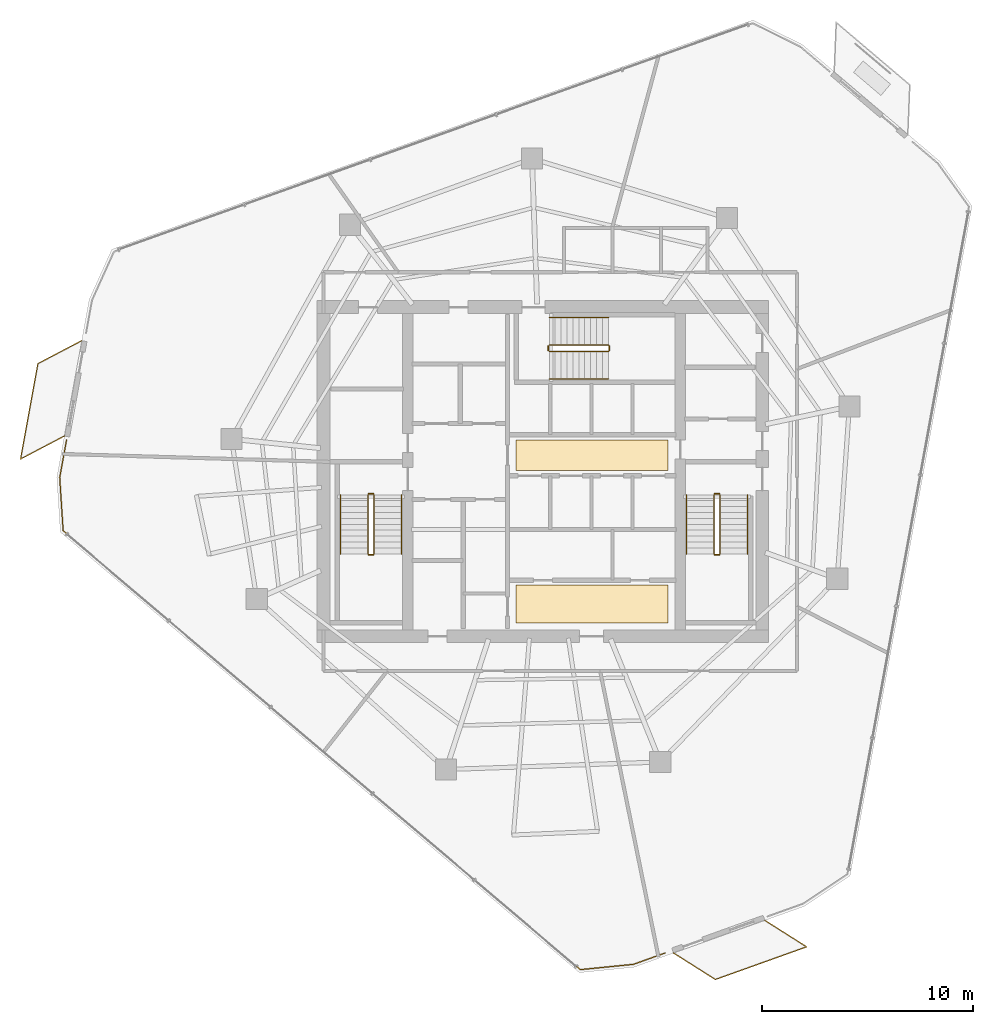
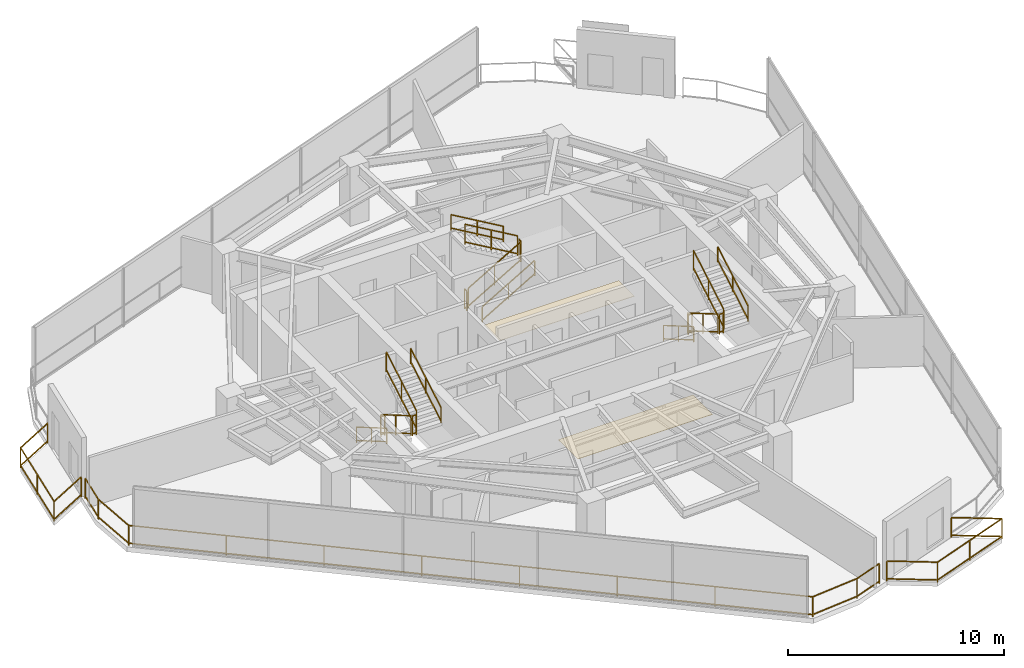
# One storey, part 20 of 21: 21 railings, 2 coverings.
"""IFC4 building model written with IfcOpenShell, lengths in metres."""

from ifc_helpers import new_model, si_unit, direction, frame, origin, origin_2d, place, context, subcontext, project, spatial, rectangle, extrude, material, layer, layer_set, type_object, element, save


model = new_model("IFC4")

# Units and contexts
model_context = context("Model", 3, precision=1e-05, world=origin(), true_north=direction((0.0, 1.0)))
body_context = subcontext(model_context, "Body", "Model", "MODEL_VIEW")
ifc_project = project(units=[si_unit("LENGTHUNIT", "METRE"), si_unit("AREAUNIT", "SQUARE_METRE"), si_unit("VOLUMEUNIT", "CUBIC_METRE"), si_unit("PLANEANGLEUNIT", "RADIAN"), si_unit("MASSUNIT", "GRAM", prefix="KILO")], contexts=[model_context])

# Site, building, storey
site_placement = place(None, origin())
site = spatial("IfcSite", under=ifc_project, at=site_placement, CompositionType="ELEMENT")
building_placement = place(site_placement, origin())
building = spatial("IfcBuilding", under=site, at=building_placement, Name="Qarnah Convention Tower", CompositionType="ELEMENT")
storey_placement = place(building_placement, frame((0.0, 0.0, 140.10009765625)))
storey = spatial("IfcBuildingStorey", under=building, at=storey_placement, Name="L37", CompositionType="ELEMENT", Elevation=140.10009765625)

# Coverings
ifc_material_1 = material(Name="Mineral fibre acoustic ceiling")
ifc_layer_1 = layer(ifc_material_1, 0.02001953125)
ifc_layer_set_1 = layer_set([ifc_layer_1], Name="Mineral fibre acoustic ceiling")
covering_type_1 = type_object("IfcCoveringType", Name="COV-CEIL-20", PredefinedType="CEILING", material=ifc_layer_set_1)
covering_1_placement = place(storey_placement, frame((39.52001953125, 27.179931640625, 2.289794921875), z_axis=(0.0, 0.0, 1.0), x_axis=(1.0, 0.0, 0.0)))
element("IfcCovering", 1, at=covering_1_placement, inside=storey, type_object=covering_type_1, Name="L37 lift lobby acoustic ceiling", PredefinedType="CEILING", context=body_context, shape_type="SweptSolid", body=[
    extrude(rectangle(XDim=7.199951171875, YDim=1.449951171875, at=origin_2d()), origin(), (0.0, 0.0, 1.0), 0.02001953125),
])
ifc_material_2 = material(Name="Porcelain stone floor tile", Category="masonry")
ifc_layer_2 = layer(ifc_material_2, 0.02001953125)
ifc_layer_set_2 = layer_set([ifc_layer_2], Name="Porcelain stone floor tile")
covering_type_2 = type_object("IfcCoveringType", Name="COV-FLOOR-20", PredefinedType="FLOORING", material=ifc_layer_set_2)
covering_2_placement = place(storey_placement, frame((39.52001953125, 20.1201171875, 0.0), z_axis=(0.0, 0.0, 1.0), x_axis=(1.0, 0.0, 0.0)))
element("IfcCovering", 2, at=covering_2_placement, inside=storey, type_object=covering_type_2, Name="L37 lift lobby porcelain stone flooring", PredefinedType="FLOORING", context=body_context, shape_type="SweptSolid", body=[
    extrude(rectangle(XDim=7.199951171875, YDim=1.800048828125, at=origin_2d()), origin(), (0.0, 0.0, 1.0), 0.02001953125),
])

# Railings
ifc_material_3 = material(Name="Black anodised aluminium", Category="aluminium")
railing_type_1 = type_object("IfcRailingType", Name="RL-EXT-GUARD-1150", PredefinedType="GUARDRAIL", material=ifc_material_3)
railing_1_placement = place(storey_placement, frame((42.98193359375, 3.573974609375, 0.0)))
element("IfcRailing", 3, at=railing_1_placement, inside=storey, type_object=railing_type_1, Name="L37 slab-edge perimeter safety guard 03", PredefinedType="GUARDRAIL", context=body_context, shape_type="SweptSolid", body=[
    extrude(rectangle(XDim=0.048095703125, YDim=0.048095703125, at=origin_2d()), frame((0.0, 0.0, 1.1259765625), z_axis=(-0.941592017953, -0.336755804295, 0.0), x_axis=(0.336755804295, -0.941592017953, 0.0)), (0.0, 0.0, 1.0), 1.58544921875),
    extrude(rectangle(XDim=0.048095703125, YDim=0.048095703125, at=origin_2d()), frame((0.0, 0.0, 0.1201171875), z_axis=(-0.941592017953, -0.336755804295, 0.0), x_axis=(0.336755804295, -0.941592017953, 0.0)), (0.0, 0.0, 1.0), 1.58544921875),
    extrude(rectangle(XDim=0.048095703125, YDim=0.048095703125, at=origin_2d()), frame((-1.492919921875, -0.533935546875, 1.1259765625), z_axis=(-0.99505344226, -0.099341064256, 0.0), x_axis=(0.099341064256, -0.99505344226, 0.0)), (0.0, 0.0, 1.0), 2.5263671875),
    extrude(rectangle(XDim=0.048095703125, YDim=0.048095703125, at=origin_2d()), frame((-1.492919921875, -0.533935546875, 0.1201171875), z_axis=(-0.99505344226, -0.099341064256, 0.0), x_axis=(0.099341064256, -0.99505344226, 0.0)), (0.0, 0.0, 1.0), 2.5263671875),
    extrude(rectangle(XDim=0.048095703125, YDim=0.048095703125, at=origin_2d()), frame((-4.0068359375, -0.784912109375, 1.1259765625), z_axis=(-0.762427196463, 0.647074006659, 0.0), x_axis=(-0.647074006659, -0.762427196463, 0.0)), (0.0, 0.0, 1.0), 32.161865234375),
    extrude(rectangle(XDim=0.048095703125, YDim=0.048095703125, at=origin_2d()), frame((-4.0068359375, -0.784912109375, 0.1201171875), z_axis=(-0.762427196463, 0.647074006659, 0.0), x_axis=(-0.647074006659, -0.762427196463, 0.0)), (0.0, 0.0, 1.0), 32.161865234375),
    extrude(rectangle(XDim=0.048095703125, YDim=0.048095703125, at=origin_2d()), frame((-28.52783203125, 20.026123046875, 1.1259765625), z_axis=(-0.06455613052, 0.99791407747, 0.0), x_axis=(-0.99791407747, -0.06455613052, 0.0)), (0.0, 0.0, 1.0), 2.5263671875),
    extrude(rectangle(XDim=0.048095703125, YDim=0.048095703125, at=origin_2d()), frame((-28.52783203125, 20.026123046875, 0.1201171875), z_axis=(-0.06455613052, 0.99791407747, 0.0), x_axis=(-0.99791407747, -0.06455613052, 0.0)), (0.0, 0.0, 1.0), 2.5263671875),
    extrude(rectangle(XDim=0.048095703125, YDim=0.048095703125, at=origin_2d()), frame((-28.69091796875, 22.547119140625, 1.1259765625), z_axis=(0.179208247977, 0.983811162702, 0.0), x_axis=(-0.983811162702, 0.179208247977, 0.0)), (0.0, 0.0, 1.0), 1.796875),
    extrude(rectangle(XDim=0.048095703125, YDim=0.048095703125, at=origin_2d()), frame((-28.69091796875, 22.547119140625, 0.1201171875), z_axis=(0.179208247977, 0.983811162702, 0.0), x_axis=(-0.983811162702, 0.179208247977, 0.0)), (0.0, 0.0, 1.0), 1.796875),
    extrude(rectangle(XDim=0.0419921875, YDim=0.0419921875, at=origin_2d()), origin(), (0.0, 0.0, 1.0), 1.101806640625),
    extrude(rectangle(XDim=0.0419921875, YDim=0.0419921875, at=origin_2d()), frame((-1.492919921875, -0.533935546875, 0.0)), (0.0, 0.0, 1.0), 1.101806640625),
    extrude(rectangle(XDim=0.0419921875, YDim=0.0419921875, at=origin_2d()), frame((-4.0068359375, -0.784912109375, 0.0)), (0.0, 0.0, 1.0), 1.101806640625),
    extrude(rectangle(XDim=0.0419921875, YDim=0.0419921875, at=origin_2d()), frame((-7.509765625, 2.18798828125, 0.0)), (0.0, 0.0, 1.0), 1.101806640625),
    extrude(rectangle(XDim=0.0419921875, YDim=0.0419921875, at=origin_2d()), frame((-11.012939453125, 5.1611328125, 0.0)), (0.0, 0.0, 1.0), 1.101806640625),
    extrude(rectangle(XDim=0.0419921875, YDim=0.0419921875, at=origin_2d()), frame((-14.515869140625, 8.134033203125, 0.0)), (0.0, 0.0, 1.0), 1.101806640625),
    extrude(rectangle(XDim=0.0419921875, YDim=0.0419921875, at=origin_2d()), frame((-18.018798828125, 11.107177734375, 0.0)), (0.0, 0.0, 1.0), 1.101806640625),
    extrude(rectangle(XDim=0.0419921875, YDim=0.0419921875, at=origin_2d()), frame((-21.521728515625, 14.080078125, 0.0)), (0.0, 0.0, 1.0), 1.101806640625),
    extrude(rectangle(XDim=0.0419921875, YDim=0.0419921875, at=origin_2d()), frame((-25.02490234375, 17.05322265625, 0.0)), (0.0, 0.0, 1.0), 1.101806640625),
    extrude(rectangle(XDim=0.0419921875, YDim=0.0419921875, at=origin_2d()), frame((-28.52783203125, 20.026123046875, 0.0)), (0.0, 0.0, 1.0), 1.101806640625),
    extrude(rectangle(XDim=0.0419921875, YDim=0.0419921875, at=origin_2d()), frame((-28.69091796875, 22.547119140625, 0.0)), (0.0, 0.0, 1.0), 1.101806640625),
    extrude(rectangle(XDim=0.0419921875, YDim=0.0419921875, at=origin_2d()), frame((-28.368896484375, 24.31494140625, 0.0)), (0.0, 0.0, 1.0), 1.101806640625),
])
railing_2_placement = place(storey_placement, frame((14.510986328125, 28.083984375, 0.0)))
element("IfcRailing", 4, at=railing_2_placement, inside=storey, type_object=railing_type_1, Name="L37 balcony safety guard BAL-L37-C2", PredefinedType="GUARDRAIL", context=body_context, shape_type="SweptSolid", body=[
    extrude(rectangle(XDim=0.048095703125, YDim=0.048095703125, at=origin_2d()), frame((0.0, 0.0, 1.1259765625), z_axis=(-0.885479197164, -0.464679019743, 0.0), x_axis=(0.464679019743, -0.885479197164, 0.0)), (0.0, 0.0, 1.0), 2.347900390625),
    extrude(rectangle(XDim=0.048095703125, YDim=0.048095703125, at=origin_2d()), frame((0.0, 0.0, 0.1201171875), z_axis=(-0.885479197164, -0.464679019743, 0.0), x_axis=(0.464679019743, -0.885479197164, 0.0)), (0.0, 0.0, 1.0), 2.347900390625),
    extrude(rectangle(XDim=0.048095703125, YDim=0.048095703125, at=origin_2d()), frame((-2.0791015625, -1.091064453125, 1.1259765625), z_axis=(0.179156288559, 0.983820626064, 0.0), x_axis=(-0.983820626064, 0.179156288559, 0.0)), (0.0, 0.0, 1.0), 4.6005859375),
    extrude(rectangle(XDim=0.048095703125, YDim=0.048095703125, at=origin_2d()), frame((-2.0791015625, -1.091064453125, 0.1201171875), z_axis=(0.179156288559, 0.983820626064, 0.0), x_axis=(-0.983820626064, 0.179156288559, 0.0)), (0.0, 0.0, 1.0), 4.6005859375),
    extrude(rectangle(XDim=0.048095703125, YDim=0.048095703125, at=origin_2d()), frame((-1.2548828125, 3.43505859375, 1.1259765625), z_axis=(0.885670650586, 0.464314008716, 0.0), x_axis=(-0.464314008716, 0.885670650586, 0.0)), (0.0, 0.0, 1.0), 2.34716796875),
    extrude(rectangle(XDim=0.048095703125, YDim=0.048095703125, at=origin_2d()), frame((-1.2548828125, 3.43505859375, 0.1201171875), z_axis=(0.885670650586, 0.464314008716, 0.0), x_axis=(-0.464314008716, 0.885670650586, 0.0)), (0.0, 0.0, 1.0), 2.34716796875),
    extrude(rectangle(XDim=0.0419921875, YDim=0.0419921875, at=origin_2d()), origin(), (0.0, 0.0, 1.0), 1.101806640625),
    extrude(rectangle(XDim=0.0419921875, YDim=0.0419921875, at=origin_2d()), frame((-2.0791015625, -1.091064453125, 0.0)), (0.0, 0.0, 1.0), 1.101806640625),
    extrude(rectangle(XDim=0.0419921875, YDim=0.0419921875, at=origin_2d()), frame((-1.6669921875, 1.171875, 0.0)), (0.0, 0.0, 1.0), 1.101806640625),
    extrude(rectangle(XDim=0.0419921875, YDim=0.0419921875, at=origin_2d()), frame((-1.2548828125, 3.43505859375, 0.0)), (0.0, 0.0, 1.0), 1.101806640625),
    extrude(rectangle(XDim=0.0419921875, YDim=0.0419921875, at=origin_2d()), frame((0.823974609375, 4.52490234375, 0.0)), (0.0, 0.0, 1.0), 1.101806640625),
])
railing_3_placement = place(storey_placement, frame((47.720947265625, 5.125, 0.0)))
element("IfcRailing", 5, at=railing_3_placement, inside=storey, type_object=railing_type_1, Name="L37 balcony safety guard BAL-L37-C3", PredefinedType="GUARDRAIL", context=body_context, shape_type="SweptSolid", body=[
    extrude(rectangle(XDim=0.048095703125, YDim=0.048095703125, at=origin_2d()), frame((0.0, 0.0, 1.1259765625), z_axis=(0.844917748932, -0.534896249324, 0.0), x_axis=(0.534896249324, 0.844917748932, 0.0)), (0.0, 0.0, 1.0), 2.348388671875),
    extrude(rectangle(XDim=0.048095703125, YDim=0.048095703125, at=origin_2d()), frame((0.0, 0.0, 0.1201171875), z_axis=(0.844917748932, -0.534896249324, 0.0), x_axis=(0.534896249324, 0.844917748932, 0.0)), (0.0, 0.0, 1.0), 2.348388671875),
    extrude(rectangle(XDim=0.048095703125, YDim=0.048095703125, at=origin_2d()), frame((1.984130859375, -1.256103515625, 1.1259765625), z_axis=(-0.941602531272, -0.336726406899, 0.0), x_axis=(0.336726406899, -0.941602531272, 0.0)), (0.0, 0.0, 1.0), 4.599609375),
    extrude(rectangle(XDim=0.048095703125, YDim=0.048095703125, at=origin_2d()), frame((1.984130859375, -1.256103515625, 0.1201171875), z_axis=(-0.941602531272, -0.336726406899, 0.0), x_axis=(0.336726406899, -0.941602531272, 0.0)), (0.0, 0.0, 1.0), 4.599609375),
    extrude(rectangle(XDim=0.048095703125, YDim=0.048095703125, at=origin_2d()), frame((-2.346923828125, -2.804931640625, 1.1259765625), z_axis=(-0.84496473425, 0.534822024484, 0.0), x_axis=(-0.534822024484, -0.84496473425, 0.0)), (0.0, 0.0, 1.0), 2.34814453125),
    extrude(rectangle(XDim=0.048095703125, YDim=0.048095703125, at=origin_2d()), frame((-2.346923828125, -2.804931640625, 0.1201171875), z_axis=(-0.84496473425, 0.534822024484, 0.0), x_axis=(-0.534822024484, -0.84496473425, 0.0)), (0.0, 0.0, 1.0), 2.34814453125),
    extrude(rectangle(XDim=0.0419921875, YDim=0.0419921875, at=origin_2d()), origin(), (0.0, 0.0, 1.0), 1.101806640625),
    extrude(rectangle(XDim=0.0419921875, YDim=0.0419921875, at=origin_2d()), frame((1.984130859375, -1.256103515625, 0.0)), (0.0, 0.0, 1.0), 1.101806640625),
    extrude(rectangle(XDim=0.0419921875, YDim=0.0419921875, at=origin_2d()), frame((-0.181396484375, -2.030517578125, 0.0)), (0.0, 0.0, 1.0), 1.101806640625),
    extrude(rectangle(XDim=0.0419921875, YDim=0.0419921875, at=origin_2d()), frame((-2.346923828125, -2.804931640625, 0.0)), (0.0, 0.0, 1.0), 1.101806640625),
    extrude(rectangle(XDim=0.0419921875, YDim=0.0419921875, at=origin_2d()), frame((-4.3310546875, -1.549072265625, 0.0)), (0.0, 0.0, 1.0), 1.101806640625),
])
ifc_material_4 = material(Name="Structural steel S355JR", Category="steel")
railing_type_2 = type_object("IfcRailingType", Name="RL-STAIR-GUARD-1150", PredefinedType="GUARDRAIL", material=ifc_material_4)
railing_4_placement = place(storey_placement, frame((28.89990234375, 25.300048828125, 0.16357421875)))
element("IfcRailing", 6, at=railing_4_placement, inside=storey, type_object=railing_type_2, Name="L37 ST-1 stair guard 1", PredefinedType="GUARDRAIL", context=body_context, shape_type="SweptSolid", body=[
    extrude(rectangle(XDim=0.048095703125, YDim=0.048095703125, at=origin_2d()), frame((0.0, 0.0, 1.1259765625), z_axis=(0.0, -0.863393664356, 0.504530851732), x_axis=(1.0, 0.0, 0.0)), (0.0, 0.0, 1.0), 3.2431640625),
    extrude(rectangle(XDim=0.048095703125, YDim=0.048095703125, at=origin_2d()), frame((0.0, 0.0, 0.1201171875), z_axis=(0.0, -0.863393664356, 0.504530851732), x_axis=(1.0, 0.0, 0.0)), (0.0, 0.0, 1.0), 3.2431640625),
    extrude(rectangle(XDim=0.0419921875, YDim=0.0419921875, at=origin_2d()), origin(), (0.0, 0.0, 1.0), 1.101806640625),
    extrude(rectangle(XDim=0.0419921875, YDim=0.0419921875, at=origin_2d()), frame((0.0, -1.39990234375, 0.818115234375)), (0.0, 0.0, 1.0), 1.101806640625),
    extrude(rectangle(XDim=0.0419921875, YDim=0.0419921875, at=origin_2d()), frame((0.0, -2.800048828125, 1.63623046875)), (0.0, 0.0, 1.0), 1.101806640625),
])
railing_5_placement = place(storey_placement, frame((28.949951171875, 22.449951171875, 1.7998046875)))
element("IfcRailing", 7, at=railing_5_placement, inside=storey, type_object=railing_type_2, Name="L37 ST-1 stair guard 2", PredefinedType="GUARDRAIL", context=body_context, shape_type="SweptSolid", body=[
    extrude(rectangle(XDim=0.048095703125, YDim=0.048095703125, at=origin_2d()), frame((0.0, 0.0, 1.1259765625), z_axis=(1.0, 0.0, 0.0), x_axis=(0.0, 1.0, 0.0)), (0.0, 0.0, 1.0), 0.199951171875),
    extrude(rectangle(XDim=0.048095703125, YDim=0.048095703125, at=origin_2d()), frame((0.0, 0.0, 0.1201171875), z_axis=(1.0, 0.0, 0.0), x_axis=(0.0, 1.0, 0.0)), (0.0, 0.0, 1.0), 0.199951171875),
    extrude(rectangle(XDim=0.0419921875, YDim=0.0419921875, at=origin_2d()), origin(), (0.0, 0.0, 1.0), 1.101806640625),
    extrude(rectangle(XDim=0.0419921875, YDim=0.0419921875, at=origin_2d()), frame((0.199951171875, 0.0, 0.0)), (0.0, 0.0, 1.0), 1.101806640625),
])
railing_6_placement = place(storey_placement, frame((29.199951171875, 22.5, 1.963623046875)))
element("IfcRailing", 8, at=railing_6_placement, inside=storey, type_object=railing_type_2, Name="L37 ST-1 stair guard 3", PredefinedType="GUARDRAIL", context=body_context, shape_type="SweptSolid", body=[
    extrude(rectangle(XDim=0.048095703125, YDim=0.048095703125, at=origin_2d()), frame((0.0, 0.0, 1.1259765625), z_axis=(0.0, 0.863393664356, 0.504530851732), x_axis=(-1.0, 0.0, 0.0)), (0.0, 0.0, 1.0), 3.2431640625),
    extrude(rectangle(XDim=0.048095703125, YDim=0.048095703125, at=origin_2d()), frame((0.0, 0.0, 0.1201171875), z_axis=(0.0, 0.863393664356, 0.504530851732), x_axis=(-1.0, 0.0, 0.0)), (0.0, 0.0, 1.0), 3.2431640625),
    extrude(rectangle(XDim=0.0419921875, YDim=0.0419921875, at=origin_2d()), origin(), (0.0, 0.0, 1.0), 1.101806640625),
    extrude(rectangle(XDim=0.0419921875, YDim=0.0419921875, at=origin_2d()), frame((0.0, 1.39990234375, 0.818115234375)), (0.0, 0.0, 1.0), 1.101806640625),
    extrude(rectangle(XDim=0.0419921875, YDim=0.0419921875, at=origin_2d()), frame((0.0, 2.800048828125, 1.63623046875)), (0.0, 0.0, 1.0), 1.101806640625),
])
railing_7_placement = place(storey_placement, frame((28.949951171875, 25.35009765625, 0.0)))
element("IfcRailing", 9, at=railing_7_placement, inside=storey, type_object=railing_type_2, Name="L37 ST-1 stair guard 4", PredefinedType="GUARDRAIL", context=body_context, shape_type="SweptSolid", body=[
    extrude(rectangle(XDim=0.048095703125, YDim=0.048095703125, at=origin_2d()), frame((0.0, 0.0, 1.1259765625), z_axis=(1.0, 0.0, 0.0), x_axis=(0.0, 1.0, 0.0)), (0.0, 0.0, 1.0), 0.199951171875),
    extrude(rectangle(XDim=0.048095703125, YDim=0.048095703125, at=origin_2d()), frame((0.0, 0.0, 0.1201171875), z_axis=(1.0, 0.0, 0.0), x_axis=(0.0, 1.0, 0.0)), (0.0, 0.0, 1.0), 0.199951171875),
    extrude(rectangle(XDim=0.0419921875, YDim=0.0419921875, at=origin_2d()), origin(), (0.0, 0.0, 1.0), 1.101806640625),
    extrude(rectangle(XDim=0.0419921875, YDim=0.0419921875, at=origin_2d()), frame((0.199951171875, 0.0, 0.0)), (0.0, 0.0, 1.0), 1.101806640625),
])
railing_8_placement = place(storey_placement, frame((45.300048828125, 25.300048828125, 0.16357421875)))
element("IfcRailing", 10, at=railing_8_placement, inside=storey, type_object=railing_type_2, Name="L37 ST-2 stair guard 1", PredefinedType="GUARDRAIL", context=body_context, shape_type="SweptSolid", body=[
    extrude(rectangle(XDim=0.048095703125, YDim=0.048095703125, at=origin_2d()), frame((0.0, 0.0, 1.1259765625), z_axis=(0.0, -0.863393664356, 0.504530851732), x_axis=(1.0, 0.0, 0.0)), (0.0, 0.0, 1.0), 3.2431640625),
    extrude(rectangle(XDim=0.048095703125, YDim=0.048095703125, at=origin_2d()), frame((0.0, 0.0, 0.1201171875), z_axis=(0.0, -0.863393664356, 0.504530851732), x_axis=(1.0, 0.0, 0.0)), (0.0, 0.0, 1.0), 3.2431640625),
    extrude(rectangle(XDim=0.0419921875, YDim=0.0419921875, at=origin_2d()), origin(), (0.0, 0.0, 1.0), 1.101806640625),
    extrude(rectangle(XDim=0.0419921875, YDim=0.0419921875, at=origin_2d()), frame((0.0, -1.39990234375, 0.818115234375)), (0.0, 0.0, 1.0), 1.101806640625),
    extrude(rectangle(XDim=0.0419921875, YDim=0.0419921875, at=origin_2d()), frame((0.0, -2.800048828125, 1.63623046875)), (0.0, 0.0, 1.0), 1.101806640625),
])
railing_9_placement = place(storey_placement, frame((45.35009765625, 22.449951171875, 1.7998046875)))
element("IfcRailing", 11, at=railing_9_placement, inside=storey, type_object=railing_type_2, Name="L37 ST-2 stair guard 2", PredefinedType="GUARDRAIL", context=body_context, shape_type="SweptSolid", body=[
    extrude(rectangle(XDim=0.048095703125, YDim=0.048095703125, at=origin_2d()), frame((0.0, 0.0, 1.1259765625), z_axis=(1.0, 0.0, 0.0), x_axis=(0.0, 1.0, 0.0)), (0.0, 0.0, 1.0), 0.199951171875),
    extrude(rectangle(XDim=0.048095703125, YDim=0.048095703125, at=origin_2d()), frame((0.0, 0.0, 0.1201171875), z_axis=(1.0, 0.0, 0.0), x_axis=(0.0, 1.0, 0.0)), (0.0, 0.0, 1.0), 0.199951171875),
    extrude(rectangle(XDim=0.0419921875, YDim=0.0419921875, at=origin_2d()), origin(), (0.0, 0.0, 1.0), 1.101806640625),
    extrude(rectangle(XDim=0.0419921875, YDim=0.0419921875, at=origin_2d()), frame((0.199951171875, 0.0, 0.0)), (0.0, 0.0, 1.0), 1.101806640625),
])
railing_10_placement = place(storey_placement, frame((45.60009765625, 22.5, 1.963623046875)))
element("IfcRailing", 12, at=railing_10_placement, inside=storey, type_object=railing_type_2, Name="L37 ST-2 stair guard 3", PredefinedType="GUARDRAIL", context=body_context, shape_type="SweptSolid", body=[
    extrude(rectangle(XDim=0.048095703125, YDim=0.048095703125, at=origin_2d()), frame((0.0, 0.0, 1.1259765625), z_axis=(0.0, 0.863393664356, 0.504530851732), x_axis=(-1.0, 0.0, 0.0)), (0.0, 0.0, 1.0), 3.2431640625),
    extrude(rectangle(XDim=0.048095703125, YDim=0.048095703125, at=origin_2d()), frame((0.0, 0.0, 0.1201171875), z_axis=(0.0, 0.863393664356, 0.504530851732), x_axis=(-1.0, 0.0, 0.0)), (0.0, 0.0, 1.0), 3.2431640625),
    extrude(rectangle(XDim=0.0419921875, YDim=0.0419921875, at=origin_2d()), origin(), (0.0, 0.0, 1.0), 1.101806640625),
    extrude(rectangle(XDim=0.0419921875, YDim=0.0419921875, at=origin_2d()), frame((0.0, 1.39990234375, 0.818115234375)), (0.0, 0.0, 1.0), 1.101806640625),
    extrude(rectangle(XDim=0.0419921875, YDim=0.0419921875, at=origin_2d()), frame((0.0, 2.800048828125, 1.63623046875)), (0.0, 0.0, 1.0), 1.101806640625),
])
railing_11_placement = place(storey_placement, frame((45.35009765625, 25.35009765625, 0.0)))
element("IfcRailing", 13, at=railing_11_placement, inside=storey, type_object=railing_type_2, Name="L37 ST-2 stair guard 4", PredefinedType="GUARDRAIL", context=body_context, shape_type="SweptSolid", body=[
    extrude(rectangle(XDim=0.048095703125, YDim=0.048095703125, at=origin_2d()), frame((0.0, 0.0, 1.1259765625), z_axis=(1.0, 0.0, 0.0), x_axis=(0.0, 1.0, 0.0)), (0.0, 0.0, 1.0), 0.199951171875),
    extrude(rectangle(XDim=0.048095703125, YDim=0.048095703125, at=origin_2d()), frame((0.0, 0.0, 0.1201171875), z_axis=(1.0, 0.0, 0.0), x_axis=(0.0, 1.0, 0.0)), (0.0, 0.0, 1.0), 0.199951171875),
    extrude(rectangle(XDim=0.0419921875, YDim=0.0419921875, at=origin_2d()), origin(), (0.0, 0.0, 1.0), 1.101806640625),
    extrude(rectangle(XDim=0.0419921875, YDim=0.0419921875, at=origin_2d()), frame((0.199951171875, 0.0, 0.0)), (0.0, 0.0, 1.0), 1.101806640625),
])
railing_12_placement = place(storey_placement, frame((37.5, 32.10009765625, 0.16357421875)))
element("IfcRailing", 14, at=railing_12_placement, inside=storey, type_object=railing_type_2, Name="L37 ST-3 stair guard 1", PredefinedType="GUARDRAIL", context=body_context, shape_type="SweptSolid", body=[
    extrude(rectangle(XDim=0.048095703125, YDim=0.048095703125, at=origin_2d()), frame((0.0, 0.0, 1.1259765625), z_axis=(0.863393664356, 0.0, 0.504530851732), x_axis=(0.0, 1.0, 0.0)), (0.0, 0.0, 1.0), 3.2431640625),
    extrude(rectangle(XDim=0.048095703125, YDim=0.048095703125, at=origin_2d()), frame((0.0, 0.0, 0.1201171875), z_axis=(0.863393664356, 0.0, 0.504530851732), x_axis=(0.0, 1.0, 0.0)), (0.0, 0.0, 1.0), 3.2431640625),
    extrude(rectangle(XDim=0.0419921875, YDim=0.0419921875, at=origin_2d()), origin(), (0.0, 0.0, 1.0), 1.101806640625),
    extrude(rectangle(XDim=0.0419921875, YDim=0.0419921875, at=origin_2d()), frame((1.39990234375, 0.0, 0.818115234375)), (0.0, 0.0, 1.0), 1.101806640625),
    extrude(rectangle(XDim=0.0419921875, YDim=0.0419921875, at=origin_2d()), frame((2.800048828125, 0.0, 1.63623046875)), (0.0, 0.0, 1.0), 1.101806640625),
])
railing_13_placement = place(storey_placement, frame((40.35009765625, 32.14990234375, 1.7998046875)))
element("IfcRailing", 15, at=railing_13_placement, inside=storey, type_object=railing_type_2, Name="L37 ST-3 stair guard 2", PredefinedType="GUARDRAIL", context=body_context, shape_type="SweptSolid", body=[
    extrude(rectangle(XDim=0.048095703125, YDim=0.048095703125, at=origin_2d()), frame((0.0, 0.0, 1.1259765625), z_axis=(0.0, 1.0, 0.0), x_axis=(-1.0, 0.0, 0.0)), (0.0, 0.0, 1.0), 0.2001953125),
    extrude(rectangle(XDim=0.048095703125, YDim=0.048095703125, at=origin_2d()), frame((0.0, 0.0, 0.1201171875), z_axis=(0.0, 1.0, 0.0), x_axis=(-1.0, 0.0, 0.0)), (0.0, 0.0, 1.0), 0.2001953125),
    extrude(rectangle(XDim=0.0419921875, YDim=0.0419921875, at=origin_2d()), origin(), (0.0, 0.0, 1.0), 1.101806640625),
    extrude(rectangle(XDim=0.0419921875, YDim=0.0419921875, at=origin_2d()), frame((0.0, 0.2001953125, 0.0)), (0.0, 0.0, 1.0), 1.101806640625),
])
railing_14_placement = place(storey_placement, frame((40.300048828125, 32.39990234375, 1.963623046875)))
element("IfcRailing", 16, at=railing_14_placement, inside=storey, type_object=railing_type_2, Name="L37 ST-3 stair guard 3", PredefinedType="GUARDRAIL", context=body_context, shape_type="SweptSolid", body=[
    extrude(rectangle(XDim=0.048095703125, YDim=0.048095703125, at=origin_2d()), frame((0.0, 0.0, 1.1259765625), z_axis=(-0.863393664356, 0.0, 0.504530851732), x_axis=(0.0, -1.0, 0.0)), (0.0, 0.0, 1.0), 3.2431640625),
    extrude(rectangle(XDim=0.048095703125, YDim=0.048095703125, at=origin_2d()), frame((0.0, 0.0, 0.1201171875), z_axis=(-0.863393664356, 0.0, 0.504530851732), x_axis=(0.0, -1.0, 0.0)), (0.0, 0.0, 1.0), 3.2431640625),
    extrude(rectangle(XDim=0.0419921875, YDim=0.0419921875, at=origin_2d()), origin(), (0.0, 0.0, 1.0), 1.101806640625),
    extrude(rectangle(XDim=0.0419921875, YDim=0.0419921875, at=origin_2d()), frame((-1.39990234375, 0.0, 0.818115234375)), (0.0, 0.0, 1.0), 1.101806640625),
    extrude(rectangle(XDim=0.0419921875, YDim=0.0419921875, at=origin_2d()), frame((-2.800048828125, 0.0, 1.63623046875)), (0.0, 0.0, 1.0), 1.101806640625),
])
railing_15_placement = place(storey_placement, frame((37.449951171875, 32.14990234375, 0.0)))
element("IfcRailing", 17, at=railing_15_placement, inside=storey, type_object=railing_type_2, Name="L37 ST-3 stair guard 4", PredefinedType="GUARDRAIL", context=body_context, shape_type="SweptSolid", body=[
    extrude(rectangle(XDim=0.048095703125, YDim=0.048095703125, at=origin_2d()), frame((0.0, 0.0, 1.1259765625), z_axis=(0.0, 1.0, 0.0), x_axis=(-1.0, 0.0, 0.0)), (0.0, 0.0, 1.0), 0.2001953125),
    extrude(rectangle(XDim=0.048095703125, YDim=0.048095703125, at=origin_2d()), frame((0.0, 0.0, 0.1201171875), z_axis=(0.0, 1.0, 0.0), x_axis=(-1.0, 0.0, 0.0)), (0.0, 0.0, 1.0), 0.2001953125),
    extrude(rectangle(XDim=0.0419921875, YDim=0.0419921875, at=origin_2d()), origin(), (0.0, 0.0, 1.0), 1.101806640625),
    extrude(rectangle(XDim=0.0419921875, YDim=0.0419921875, at=origin_2d()), frame((0.0, 0.2001953125, 0.0)), (0.0, 0.0, 1.0), 1.101806640625),
])
railing_type_3 = type_object("IfcRailingType", Name="RL-STAIR-HAND-900", PredefinedType="HANDRAIL", material=ifc_material_4)
railing_16_placement = place(storey_placement, frame((27.60009765625, 25.300048828125, 0.16357421875)))
element("IfcRailing", 18, at=railing_16_placement, inside=storey, type_object=railing_type_3, Name="L37 ST-1 stair handrail 1", PredefinedType="HANDRAIL", context=body_context, shape_type="SweptSolid", body=[
    extrude(rectangle(XDim=0.048095703125, YDim=0.048095703125, at=origin_2d()), frame((0.0, 0.0, 0.8759765625), z_axis=(0.0, -0.863393664356, 0.504530851732), x_axis=(1.0, 0.0, 0.0)), (0.0, 0.0, 1.0), 3.2431640625),
    extrude(rectangle(XDim=0.048095703125, YDim=0.048095703125, at=origin_2d()), frame((0.0, 0.0, 0.1201171875), z_axis=(0.0, -0.863393664356, 0.504530851732), x_axis=(1.0, 0.0, 0.0)), (0.0, 0.0, 1.0), 3.2431640625),
    extrude(rectangle(XDim=0.0419921875, YDim=0.0419921875, at=origin_2d()), origin(), (0.0, 0.0, 1.0), 0.851806640625),
    extrude(rectangle(XDim=0.0419921875, YDim=0.0419921875, at=origin_2d()), frame((0.0, -1.39990234375, 0.818115234375)), (0.0, 0.0, 1.0), 0.851806640625),
    extrude(rectangle(XDim=0.0419921875, YDim=0.0419921875, at=origin_2d()), frame((0.0, -2.800048828125, 1.63623046875)), (0.0, 0.0, 1.0), 0.851806640625),
])
railing_17_placement = place(storey_placement, frame((30.5, 22.5, 1.963623046875)))
element("IfcRailing", 19, at=railing_17_placement, inside=storey, type_object=railing_type_3, Name="L37 ST-1 stair handrail 2", PredefinedType="HANDRAIL", context=body_context, shape_type="SweptSolid", body=[
    extrude(rectangle(XDim=0.048095703125, YDim=0.048095703125, at=origin_2d()), frame((0.0, 0.0, 0.8759765625), z_axis=(0.0, 0.863393664356, 0.504530851732), x_axis=(-1.0, 0.0, 0.0)), (0.0, 0.0, 1.0), 3.2431640625),
    extrude(rectangle(XDim=0.048095703125, YDim=0.048095703125, at=origin_2d()), frame((0.0, 0.0, 0.1201171875), z_axis=(0.0, 0.863393664356, 0.504530851732), x_axis=(-1.0, 0.0, 0.0)), (0.0, 0.0, 1.0), 3.2431640625),
    extrude(rectangle(XDim=0.0419921875, YDim=0.0419921875, at=origin_2d()), origin(), (0.0, 0.0, 1.0), 0.851806640625),
    extrude(rectangle(XDim=0.0419921875, YDim=0.0419921875, at=origin_2d()), frame((0.0, 1.39990234375, 0.818115234375)), (0.0, 0.0, 1.0), 0.851806640625),
    extrude(rectangle(XDim=0.0419921875, YDim=0.0419921875, at=origin_2d()), frame((0.0, 2.800048828125, 1.63623046875)), (0.0, 0.0, 1.0), 0.851806640625),
])
railing_18_placement = place(storey_placement, frame((44.0, 25.300048828125, 0.16357421875)))
element("IfcRailing", 20, at=railing_18_placement, inside=storey, type_object=railing_type_3, Name="L37 ST-2 stair handrail 1", PredefinedType="HANDRAIL", context=body_context, shape_type="SweptSolid", body=[
    extrude(rectangle(XDim=0.048095703125, YDim=0.048095703125, at=origin_2d()), frame((0.0, 0.0, 0.8759765625), z_axis=(0.0, -0.863393664356, 0.504530851732), x_axis=(1.0, 0.0, 0.0)), (0.0, 0.0, 1.0), 3.2431640625),
    extrude(rectangle(XDim=0.048095703125, YDim=0.048095703125, at=origin_2d()), frame((0.0, 0.0, 0.1201171875), z_axis=(0.0, -0.863393664356, 0.504530851732), x_axis=(1.0, 0.0, 0.0)), (0.0, 0.0, 1.0), 3.2431640625),
    extrude(rectangle(XDim=0.0419921875, YDim=0.0419921875, at=origin_2d()), origin(), (0.0, 0.0, 1.0), 0.851806640625),
    extrude(rectangle(XDim=0.0419921875, YDim=0.0419921875, at=origin_2d()), frame((0.0, -1.39990234375, 0.818115234375)), (0.0, 0.0, 1.0), 0.851806640625),
    extrude(rectangle(XDim=0.0419921875, YDim=0.0419921875, at=origin_2d()), frame((0.0, -2.800048828125, 1.63623046875)), (0.0, 0.0, 1.0), 0.851806640625),
])
railing_19_placement = place(storey_placement, frame((46.89990234375, 22.5, 1.963623046875)))
element("IfcRailing", 21, at=railing_19_placement, inside=storey, type_object=railing_type_3, Name="L37 ST-2 stair handrail 2", PredefinedType="HANDRAIL", context=body_context, shape_type="SweptSolid", body=[
    extrude(rectangle(XDim=0.048095703125, YDim=0.048095703125, at=origin_2d()), frame((0.0, 0.0, 0.8759765625), z_axis=(0.0, 0.863393664356, 0.504530851732), x_axis=(-1.0, 0.0, 0.0)), (0.0, 0.0, 1.0), 3.2431640625),
    extrude(rectangle(XDim=0.048095703125, YDim=0.048095703125, at=origin_2d()), frame((0.0, 0.0, 0.1201171875), z_axis=(0.0, 0.863393664356, 0.504530851732), x_axis=(-1.0, 0.0, 0.0)), (0.0, 0.0, 1.0), 3.2431640625),
    extrude(rectangle(XDim=0.0419921875, YDim=0.0419921875, at=origin_2d()), origin(), (0.0, 0.0, 1.0), 0.851806640625),
    extrude(rectangle(XDim=0.0419921875, YDim=0.0419921875, at=origin_2d()), frame((0.0, 1.39990234375, 0.818115234375)), (0.0, 0.0, 1.0), 0.851806640625),
    extrude(rectangle(XDim=0.0419921875, YDim=0.0419921875, at=origin_2d()), frame((0.0, 2.800048828125, 1.63623046875)), (0.0, 0.0, 1.0), 0.851806640625),
])
railing_20_placement = place(storey_placement, frame((37.5, 30.800048828125, 0.16357421875)))
element("IfcRailing", 22, at=railing_20_placement, inside=storey, type_object=railing_type_3, Name="L37 ST-3 stair handrail 1", PredefinedType="HANDRAIL", context=body_context, shape_type="SweptSolid", body=[
    extrude(rectangle(XDim=0.048095703125, YDim=0.048095703125, at=origin_2d()), frame((0.0, 0.0, 0.8759765625), z_axis=(0.863393664356, 0.0, 0.504530851732), x_axis=(0.0, 1.0, 0.0)), (0.0, 0.0, 1.0), 3.2431640625),
    extrude(rectangle(XDim=0.048095703125, YDim=0.048095703125, at=origin_2d()), frame((0.0, 0.0, 0.1201171875), z_axis=(0.863393664356, 0.0, 0.504530851732), x_axis=(0.0, 1.0, 0.0)), (0.0, 0.0, 1.0), 3.2431640625),
    extrude(rectangle(XDim=0.0419921875, YDim=0.0419921875, at=origin_2d()), origin(), (0.0, 0.0, 1.0), 0.851806640625),
    extrude(rectangle(XDim=0.0419921875, YDim=0.0419921875, at=origin_2d()), frame((1.39990234375, 0.0, 0.818115234375)), (0.0, 0.0, 1.0), 0.851806640625),
    extrude(rectangle(XDim=0.0419921875, YDim=0.0419921875, at=origin_2d()), frame((2.800048828125, 0.0, 1.63623046875)), (0.0, 0.0, 1.0), 0.851806640625),
])
railing_21_placement = place(storey_placement, frame((40.300048828125, 33.699951171875, 1.963623046875)))
element("IfcRailing", 23, at=railing_21_placement, inside=storey, type_object=railing_type_3, Name="L37 ST-3 stair handrail 2", PredefinedType="HANDRAIL", context=body_context, shape_type="SweptSolid", body=[
    extrude(rectangle(XDim=0.048095703125, YDim=0.048095703125, at=origin_2d()), frame((0.0, 0.0, 0.8759765625), z_axis=(-0.863393664356, 0.0, 0.504530851732), x_axis=(0.0, -1.0, 0.0)), (0.0, 0.0, 1.0), 3.2431640625),
    extrude(rectangle(XDim=0.048095703125, YDim=0.048095703125, at=origin_2d()), frame((0.0, 0.0, 0.1201171875), z_axis=(-0.863393664356, 0.0, 0.504530851732), x_axis=(0.0, -1.0, 0.0)), (0.0, 0.0, 1.0), 3.2431640625),
    extrude(rectangle(XDim=0.0419921875, YDim=0.0419921875, at=origin_2d()), origin(), (0.0, 0.0, 1.0), 0.851806640625),
    extrude(rectangle(XDim=0.0419921875, YDim=0.0419921875, at=origin_2d()), frame((-1.39990234375, 0.0, 0.818115234375)), (0.0, 0.0, 1.0), 0.851806640625),
    extrude(rectangle(XDim=0.0419921875, YDim=0.0419921875, at=origin_2d()), frame((-2.800048828125, 0.0, 1.63623046875)), (0.0, 0.0, 1.0), 0.851806640625),
])

save(model, "model.ifc")
